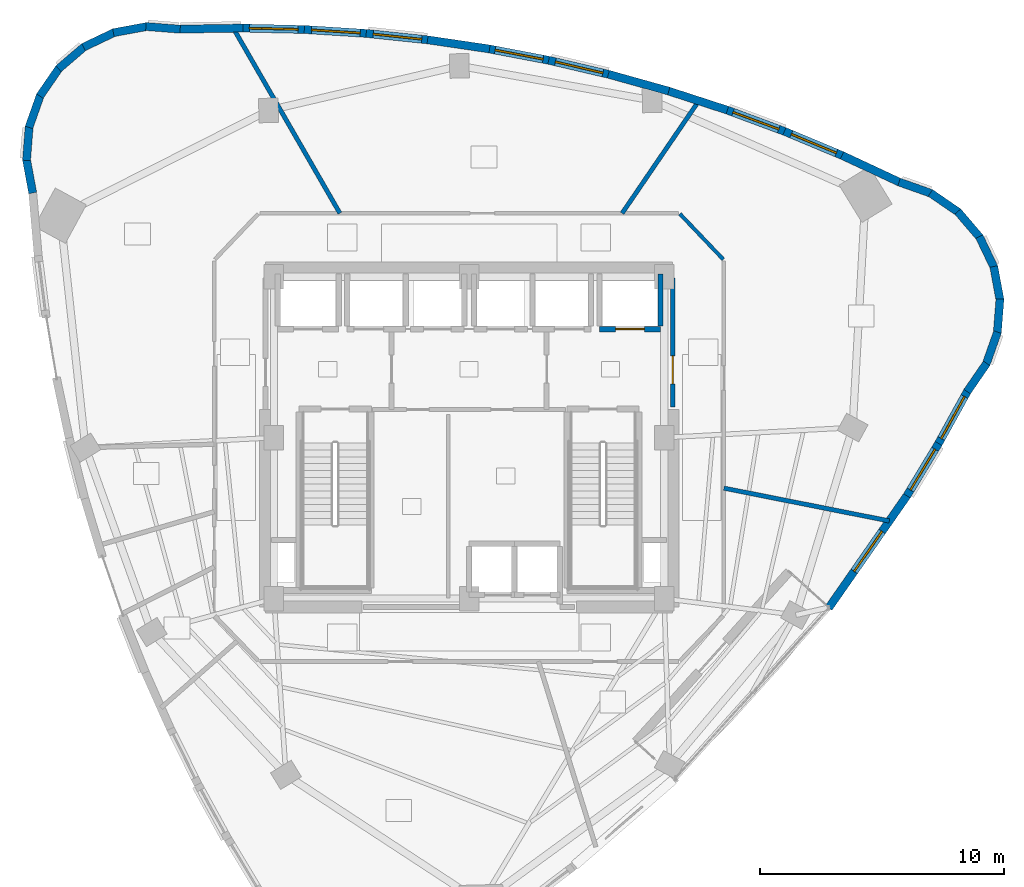
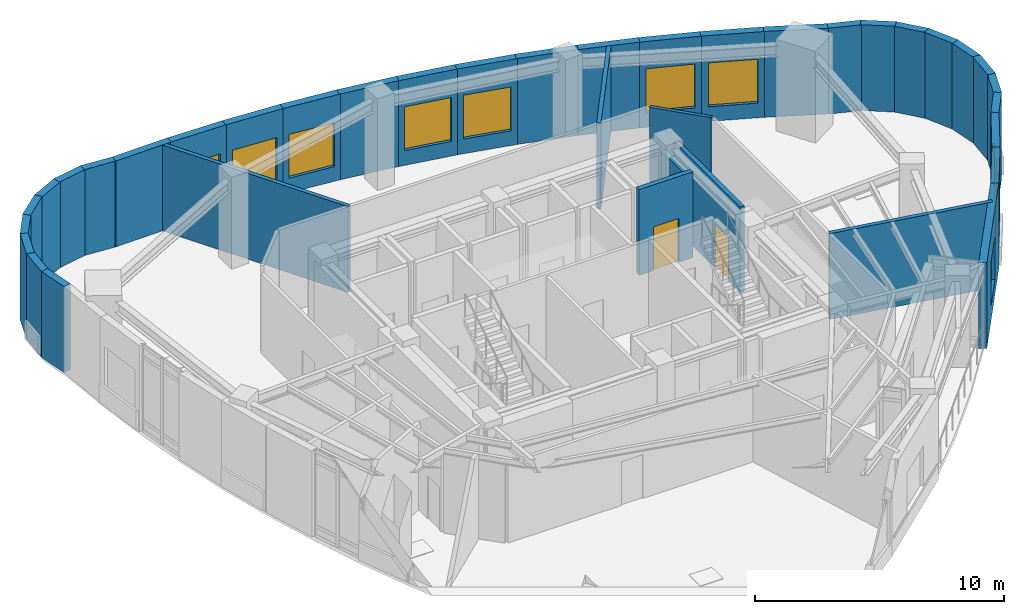
# One storey, part 14 of 18: 38 walls, 10 windows, 2 doors, 12 openings.
"""IFC4 building model written with IfcOpenShell, lengths in metres."""

from ifc_helpers import new_model, si_unit, direction, frame, frame_2d, origin, place, context, subcontext, project, spatial, rectangle, extrude, material, layer, layer_set, type_object, element, fill, save


model = new_model("IFC4")

# Units and contexts
model_context = context("Model", 3, precision=1e-05, world=origin(), true_north=direction((0.0, 1.0)))
body_context = subcontext(model_context, "Body", "Model", "MODEL_VIEW")
ifc_project = project(units=[si_unit("LENGTHUNIT", "METRE"), si_unit("AREAUNIT", "SQUARE_METRE"), si_unit("VOLUMEUNIT", "CUBIC_METRE"), si_unit("PLANEANGLEUNIT", "RADIAN"), si_unit("MASSUNIT", "GRAM", prefix="KILO")], contexts=[model_context])

# Site, building, storey
site_placement = place(None, origin())
site = spatial("IfcSite", under=ifc_project, at=site_placement, CompositionType="ELEMENT")
building_placement = place(site_placement, origin())
building = spatial("IfcBuilding", under=site, at=building_placement, Name="Ndelora Gate Hotel", CompositionType="ELEMENT")
storey_placement = place(building_placement, frame((0.0, 0.0, 173.75)))
storey = spatial("IfcBuildingStorey", under=building, at=storey_placement, Name="L43", CompositionType="ELEMENT", Elevation=173.75)

# Walls
ifc_material_1 = material(Name="Acoustic Double-Stud Gypsum Assembly", Category="gypsum")
ifc_layer_1 = layer(ifc_material_1, 0.179931640625)
ifc_layer_set_1 = layer_set([ifc_layer_1], Name="Acoustic Double-Stud Gypsum Assembly")
wall_type_1 = type_object("IfcWallType", Name="WL-ACOUST-180", PredefinedType="PARTITIONING", material=ifc_layer_set_1)
wall_1_placement = place(storey_placement, frame((10.449951171875, -2.07275390625, 0.0), z_axis=(0.0, 0.0, 1.0), x_axis=(0.980886326551, -0.194581639385, 0.0)))
element("IfcWall", 1, at=wall_1_placement, inside=storey, type_object=wall_type_1, Name="L43 Interior Wall IW-3", PredefinedType="PARTITIONING", context=body_context, shape_type="SweptSolid", body=[
    extrude(rectangle(XDim=6.915771484375, YDim=0.179931640625, at=frame_2d((3.4580078125, 0.0))), origin(), (0.0, 0.0, 1.0), 4.2099609375),
])
wall_2_placement = place(storey_placement, frame((6.277099609375, 9.199951171875, 0.0), z_axis=(0.0, 0.0, 1.0), x_axis=(0.563596172667, 0.826050454969, 0.0)))
element("IfcWall", 2, at=wall_2_placement, inside=storey, type_object=wall_type_1, Name="L43 Interior Wall IW-3", PredefinedType="PARTITIONING", context=body_context, shape_type="SweptSolid", body=[
    extrude(rectangle(XDim=5.57861328125, YDim=0.179931640625, at=frame_2d((2.789306640625, 0.0))), origin(), (0.0, 0.0, 1.0), 4.2099609375),
])
wall_3_placement = place(storey_placement, frame((-5.29736328125, 9.199951171875, 0.0), z_axis=(0.0, 0.0, 1.0), x_axis=(-0.498971426458, 0.866618437133, 0.0)))
element("IfcWall", 3, at=wall_3_placement, inside=storey, type_object=wall_type_1, Name="L43 Interior Wall IW-3", PredefinedType="PARTITIONING", context=body_context, shape_type="SweptSolid", body=[
    extrude(rectangle(XDim=8.75439453125, YDim=0.179931640625, at=frame_2d((4.377197265625, 0.0))), origin(), (0.0, 0.0, 1.0), 4.2099609375),
])
ifc_material_2 = material(Name="Clay Brick Masonry", Category="masonry")
ifc_layer_2 = layer(ifc_material_2, 0.330078125)
ifc_layer_set_2 = layer_set([ifc_layer_2], Name="Clay Brick Masonry")
wall_type_2 = type_object("IfcWallType", Name="WL-BRICK-330", PredefinedType="SOLIDWALL", material=ifc_layer_set_2)
wall_4_placement = place(storey_placement, frame((-13.248779296875, 16.856689453125, 0.0), z_axis=(0.0, 0.0, 1.0), x_axis=(0.996907811278, -0.07857999626, 0.0)))
element("IfcWall", 4, at=wall_4_placement, inside=storey, type_object=wall_type_2, Name="L43 Tower Brick Pier-and-Spandrel Wall TWR-1", PredefinedType="SOLIDWALL", context=body_context, shape_type="SweptSolid", body=[
    extrude(rectangle(XDim=1.407470703125, YDim=0.330078125, at=frame_2d((0.70361328125, 0.0))), origin(), (0.0, 0.0, 1.0), 4.2099609375),
])
for number, where, z_axis, x_axis, name in (
    (5, (-14.583251953125, 16.602783203125, 0.0), (0.0, 0.0, 1.0), (0.983245180137, 0.182288002174, 0.0), "L43 Tower Brick Pier-and-Spandrel Wall TWR-2"),
    (6, (-15.806396484375, 16.01220703125, 0.0), (0.0, 0.0, 1.0), (0.902597460438, 0.43048556818, 0.0), "L43 Tower Brick Pier-and-Spandrel Wall TWR-3"),
):
    element("IfcWall", number, at=place(storey_placement, frame(where, z_axis=z_axis, x_axis=x_axis)), inside=storey, type_object=wall_type_2, Name=name, PredefinedType="SOLIDWALL", context=body_context, shape_type="SweptSolid", body=[
        extrude(rectangle(XDim=1.40771484375, YDim=0.330078125, at=frame_2d((0.703857421875, 0.0))), origin(), (0.0, 0.0, 1.0), 4.2099609375),
    ])
for number, where, z_axis, x_axis, name in (
    (7, (-16.835205078125, 15.125, 0.0), (0.0, 0.0, 1.0), (0.760430782952, 0.64941898982, 0.0), "L43 Tower Brick Pier-and-Spandrel Wall TWR-4"),
    (8, (-17.59912109375, 14.001953125, 0.0), (0.0, 0.0, 1.0), (0.566374209812, 0.824148199331, 0.0), "L43 Tower Brick Pier-and-Spandrel Wall TWR-5"),
):
    element("IfcWall", number, at=place(storey_placement, frame(where, z_axis=z_axis, x_axis=x_axis)), inside=storey, type_object=wall_type_2, Name=name, PredefinedType="SOLIDWALL", context=body_context, shape_type="SweptSolid", body=[
        extrude(rectangle(XDim=1.407470703125, YDim=0.330078125, at=frame_2d((0.70361328125, 0.0))), origin(), (0.0, 0.0, 1.0), 4.2099609375),
    ])
wall_5_placement = place(storey_placement, frame((-18.04638671875, 12.71923828125, 0.0), z_axis=(0.0, 0.0, 1.0), x_axis=(0.333709077945, 0.942676111555, 0.0)))
element("IfcWall", 9, at=wall_5_placement, inside=storey, type_object=wall_type_2, Name="L43 Tower Brick Pier-and-Spandrel Wall TWR-6", PredefinedType="SOLIDWALL", context=body_context, shape_type="SweptSolid", body=[
    extrude(rectangle(XDim=1.40771484375, YDim=0.330078125, at=frame_2d((0.703857421875, 0.0))), origin(), (0.0, 0.0, 1.0), 4.2099609375),
])
wall_6_placement = place(storey_placement, frame((-18.146484375, 11.36474609375, 0.0), z_axis=(0.0, 0.0, 1.0), x_axis=(0.078407598082, 0.996921385347, 0.0)))
element("IfcWall", 10, at=wall_6_placement, inside=storey, type_object=wall_type_2, Name="L43 Tower Brick Pier-and-Spandrel Wall TWR-7", PredefinedType="SOLIDWALL", context=body_context, shape_type="SweptSolid", body=[
    extrude(rectangle(XDim=1.407470703125, YDim=0.330078125, at=frame_2d((0.70361328125, 0.0))), origin(), (0.0, 0.0, 1.0), 4.2099609375),
])
wall_7_placement = place(storey_placement, frame((-17.892578125, 10.0302734375, 0.0), z_axis=(0.0, 0.0, 1.0), x_axis=(-0.182288002174, 0.983245180137, 0.0)))
element("IfcWall", 11, at=wall_7_placement, inside=storey, type_object=wall_type_2, Name="L43 Tower Brick Pier-and-Spandrel Wall TWR-8", PredefinedType="SOLIDWALL", context=body_context, shape_type="SweptSolid", body=[
    extrude(rectangle(XDim=1.40771484375, YDim=0.330078125, at=frame_2d((0.703857421875, 0.0))), origin(), (0.0, 0.0, 1.0), 4.2099609375),
])

# Wall, opening, window
wall_8_placement = place(storey_placement, frame((17.981201171875, -2.34619140625, 0.0), z_axis=(0.0, 0.0, 1.0), x_axis=(-0.571969587154, -0.820274826733, 0.0)))
wall_8 = element("IfcWall", 12, at=wall_8_placement, inside=storey, type_object=wall_type_2, Name="L43 Tower Brick Pier-and-Spandrel Wall TWR-36", PredefinedType="SOLIDWALL", context=body_context, shape_type="SweptSolid", body=[
    extrude(rectangle(XDim=5.656494140625, YDim=0.330078125, at=frame_2d((2.828125, 0.0))), origin(), (0.0, 0.0, 1.0), 4.2099609375),
])
opening_1_placement = place(wall_8_placement, frame((1.828369140625, 0.0, 0.719970703125)))
opening_1 = element("IfcOpeningElement", 13, at=opening_1_placement, cuts=wall_8, Name="Opening W05", PredefinedType="OPENING", context=body_context, shape_type="SweptSolid", body=[
    extrude(rectangle(XDim=2.0, YDim=2.14990234375, at=frame_2d((1.0, 1.074951171875))), frame((0.0, 0.175048828125, 0.0), z_axis=(0.0, -1.0, 0.0), x_axis=(1.0, 0.0, 0.0)), (0.0, 0.0, 1.0), 0.35009765625),
])
ifc_material_3 = material(Name="Insulated Low-E Double Glazing in Bronze Aluminium Frame", Category="aluminium")
window_type = type_object("IfcWindowType", Name="WN-SKY-2000", PartitioningType="SINGLE_PANEL", PredefinedType="WINDOW", material=ifc_material_3)
window_1_placement = place(opening_1_placement, origin())
window_1 = element("IfcWindow", 14, at=window_1_placement, inside=storey, type_object=window_type, Name="L43 Deep-Set Brick-Pier Window W05", OverallHeight=2.14990234375, OverallWidth=2.0, PartitioningType="SINGLE_PANEL", PredefinedType="WINDOW", context=body_context, shape_type="SweptSolid", body=[
    extrude(rectangle(XDim=2.0, YDim=2.14990234375, at=frame_2d((1.0, 1.074951171875))), frame((0.0, 0.030029296875, 0.0), z_axis=(0.0, -1.0, 0.0), x_axis=(1.0, 0.0, 0.0)), (0.0, 0.0, 1.0), 0.06005859375),
])
fill(opening_1, window_1)

wall_9_placement = place(storey_placement, frame((19.252197265625, -0.241455078125, 0.0), z_axis=(0.0, 0.0, 1.0), x_axis=(-0.517483977519, -0.855692896436, 0.0)))
wall_9 = element("IfcWall", 15, at=wall_9_placement, inside=storey, type_object=wall_type_2, Name="L43 Tower Brick Pier-and-Spandrel Wall TWR-37", PredefinedType="SOLIDWALL", context=body_context, shape_type="SweptSolid", body=[
    extrude(rectangle(XDim=2.508544921875, YDim=0.330078125, at=frame_2d((1.25439453125, 0.0))), origin(), (0.0, 0.0, 1.0), 4.2099609375),
])
opening_2_placement = place(wall_9_placement, frame((0.279296875, 0.0, 0.719970703125)))
opening_2 = element("IfcOpeningElement", 16, at=opening_2_placement, cuts=wall_9, Name="Opening W05", PredefinedType="OPENING", context=body_context, shape_type="SweptSolid", body=[
    extrude(rectangle(XDim=1.949951171875, YDim=2.14990234375, at=frame_2d((0.97509765625, 1.074951171875))), frame((0.0, 0.175048828125, 0.0), z_axis=(0.0, -1.0, 0.0), x_axis=(1.0, 0.0, 0.0)), (0.0, 0.0, 1.0), 0.35009765625),
])
window_2_placement = place(opening_2_placement, origin())
window_2 = element("IfcWindow", 17, at=window_2_placement, inside=storey, type_object=window_type, Name="L43 Deep-Set Brick-Pier Window W05", OverallHeight=2.14990234375, OverallWidth=1.949951171875, PartitioningType="SINGLE_PANEL", PredefinedType="WINDOW", context=body_context, shape_type="SweptSolid", body=[
    extrude(rectangle(XDim=1.949951171875, YDim=2.14990234375, at=frame_2d((0.97509765625, 1.074951171875))), frame((0.0, 0.030029296875, 0.0), z_axis=(0.0, -1.0, 0.0), x_axis=(1.0, 0.0, 0.0)), (0.0, 0.0, 1.0), 0.06005859375),
])
fill(opening_2, window_2)

wall_10_placement = place(storey_placement, frame((20.45166015625, 1.927978515625, 0.0), z_axis=(0.0, 0.0, 1.0), x_axis=(-0.484166759881, -0.874975741736, 0.0)))
wall_10 = element("IfcWall", 18, at=wall_10_placement, inside=storey, type_object=wall_type_2, Name="L43 Tower Brick Pier-and-Spandrel Wall TWR-38", PredefinedType="SOLIDWALL", context=body_context, shape_type="SweptSolid", body=[
    extrude(rectangle(XDim=2.52880859375, YDim=0.330078125, at=frame_2d((1.264404296875, 0.0))), origin(), (0.0, 0.0, 1.0), 4.2099609375),
])
opening_3_placement = place(wall_10_placement, frame((0.279541015625, 0.0, 0.719970703125)))
opening_3 = element("IfcOpeningElement", 19, at=opening_3_placement, cuts=wall_10, Name="Opening W05", PredefinedType="OPENING", context=body_context, shape_type="SweptSolid", body=[
    extrude(rectangle(XDim=1.969970703125, YDim=2.14990234375, at=frame_2d((0.98486328125, 1.074951171875))), frame((0.0, 0.175048828125, 0.0), z_axis=(0.0, -1.0, 0.0), x_axis=(1.0, 0.0, 0.0)), (0.0, 0.0, 1.0), 0.35009765625),
])
window_3_placement = place(opening_3_placement, origin())
window_3 = element("IfcWindow", 20, at=window_3_placement, inside=storey, type_object=window_type, Name="L43 Deep-Set Brick-Pier Window W05", OverallHeight=2.14990234375, OverallWidth=1.969970703125, PartitioningType="SINGLE_PANEL", PredefinedType="WINDOW", context=body_context, shape_type="SweptSolid", body=[
    extrude(rectangle(XDim=1.969970703125, YDim=2.14990234375, at=frame_2d((0.98486328125, 1.074951171875))), frame((0.0, 0.030029296875, 0.0), z_axis=(0.0, -1.0, 0.0), x_axis=(1.0, 0.0, 0.0)), (0.0, 0.0, 1.0), 0.06005859375),
])
fill(opening_3, window_3)

# Walls
wall_11_placement = place(storey_placement, frame((21.22265625, 3.04541015625, 0.0), z_axis=(0.0, 0.0, 1.0), x_axis=(-0.566492015675, -0.824067227947, 0.0)))
element("IfcWall", 21, at=wall_11_placement, inside=storey, type_object=wall_type_2, Name="L43 Tower Brick Pier-and-Spandrel Wall TWR-39", PredefinedType="SOLIDWALL", context=body_context, shape_type="SweptSolid", body=[
    extrude(rectangle(XDim=1.407470703125, YDim=0.330078125, at=frame_2d((0.70361328125, 0.0))), origin(), (0.0, 0.0, 1.0), 4.2099609375),
])
wall_12_placement = place(storey_placement, frame((21.669921875, 4.328125, 0.0), z_axis=(0.0, 0.0, 1.0), x_axis=(-0.333709077945, -0.942676111555, 0.0)))
element("IfcWall", 22, at=wall_12_placement, inside=storey, type_object=wall_type_2, Name="L43 Tower Brick Pier-and-Spandrel Wall TWR-40", PredefinedType="SOLIDWALL", context=body_context, shape_type="SweptSolid", body=[
    extrude(rectangle(XDim=1.40771484375, YDim=0.330078125, at=frame_2d((0.703857421875, 0.0))), origin(), (0.0, 0.0, 1.0), 4.2099609375),
])
for number, where, z_axis, x_axis, name in (
    (23, (21.770263671875, 5.6826171875, 0.0), (0.0, 0.0, 1.0), (-0.07857999626, -0.996907811278, 0.0), "L43 Tower Brick Pier-and-Spandrel Wall TWR-41"),
    (24, (21.51611328125, 7.01708984375, 0.0), (0.0, 0.0, 1.0), (0.182319094132, -0.983239415359, 0.0), "L43 Tower Brick Pier-and-Spandrel Wall TWR-42"),
):
    element("IfcWall", number, at=place(storey_placement, frame(where, z_axis=z_axis, x_axis=x_axis)), inside=storey, type_object=wall_type_2, Name=name, PredefinedType="SOLIDWALL", context=body_context, shape_type="SweptSolid", body=[
        extrude(rectangle(XDim=1.407470703125, YDim=0.330078125, at=frame_2d((0.70361328125, 0.0))), origin(), (0.0, 0.0, 1.0), 4.2099609375),
    ])
wall_13_placement = place(storey_placement, frame((20.925537109375, 8.240478515625, 0.0), z_axis=(0.0, 0.0, 1.0), x_axis=(0.43048556818, -0.902597460438, 0.0)))
element("IfcWall", 25, at=wall_13_placement, inside=storey, type_object=wall_type_2, Name="L43 Tower Brick Pier-and-Spandrel Wall TWR-43", PredefinedType="SOLIDWALL", context=body_context, shape_type="SweptSolid", body=[
    extrude(rectangle(XDim=1.40771484375, YDim=0.330078125, at=frame_2d((0.703857421875, 0.0))), origin(), (0.0, 0.0, 1.0), 4.2099609375),
])
wall_14_placement = place(storey_placement, frame((20.03857421875, 9.26904296875, 0.0), z_axis=(0.0, 0.0, 1.0), x_axis=(0.64941898982, -0.760430782952, 0.0)))
element("IfcWall", 26, at=wall_14_placement, inside=storey, type_object=wall_type_2, Name="L43 Tower Brick Pier-and-Spandrel Wall TWR-44", PredefinedType="SOLIDWALL", context=body_context, shape_type="SweptSolid", body=[
    extrude(rectangle(XDim=1.407470703125, YDim=0.330078125, at=frame_2d((0.70361328125, 0.0))), origin(), (0.0, 0.0, 1.0), 4.2099609375),
])
for number, where, z_axis, x_axis, name in (
    (27, (18.915283203125, 10.033203125, 0.0), (0.0, 0.0, 1.0), (0.824122878834, -0.566411052666, 0.0), "L43 Tower Brick Pier-and-Spandrel Wall TWR-45"),
    (28, (17.6328125, 10.480224609375, 0.0), (0.0, 0.0, 1.0), (0.942676111555, -0.333709077945, 0.0), "L43 Tower Brick Pier-and-Spandrel Wall TWR-46"),
):
    element("IfcWall", number, at=place(storey_placement, frame(where, z_axis=z_axis, x_axis=x_axis)), inside=storey, type_object=wall_type_2, Name=name, PredefinedType="SOLIDWALL", context=body_context, shape_type="SweptSolid", body=[
        extrude(rectangle(XDim=1.40771484375, YDim=0.330078125, at=frame_2d((0.703857421875, 0.0))), origin(), (0.0, 0.0, 1.0), 4.2099609375),
    ])
wall_15_placement = place(storey_placement, frame((15.293701171875, 11.573486328125, 0.0), z_axis=(0.0, 0.0, 1.0), x_axis=(0.906353689665, -0.422519809275, 0.0)))
element("IfcWall", 29, at=wall_15_placement, inside=storey, type_object=wall_type_2, Name="L43 Tower Brick Pier-and-Spandrel Wall TWR-47", PredefinedType="SOLIDWALL", context=body_context, shape_type="SweptSolid", body=[
    extrude(rectangle(XDim=2.632080078125, YDim=0.330078125, at=frame_2d((1.31591796875, 0.0))), origin(), (0.0, 0.0, 1.0), 4.2099609375),
])

# Wall, opening, window
wall_16_placement = place(storey_placement, frame((12.931640625, 12.56005859375, 0.0), z_axis=(0.0, 0.0, 1.0), x_axis=(0.922597431626, -0.385764149653, 0.0)))
wall_16 = element("IfcWall", 30, at=wall_16_placement, inside=storey, type_object=wall_type_2, Name="L43 Tower Brick Pier-and-Spandrel Wall TWR-48", PredefinedType="SOLIDWALL", context=body_context, shape_type="SweptSolid", body=[
    extrude(rectangle(XDim=2.60986328125, YDim=0.330078125, at=frame_2d((1.304931640625, 0.0))), origin(), (0.0, 0.0, 1.0), 4.2099609375),
])
opening_4_placement = place(wall_16_placement, frame((0.304931640625, 0.0, 0.719970703125)))
opening_4 = element("IfcOpeningElement", 31, at=opening_4_placement, cuts=wall_16, Name="Opening W05", PredefinedType="OPENING", context=body_context, shape_type="SweptSolid", body=[
    extrude(rectangle(XDim=2.0, YDim=2.14990234375, at=frame_2d((1.0, 1.074951171875))), frame((0.0, 0.175048828125, 0.0), z_axis=(0.0, -1.0, 0.0), x_axis=(1.0, 0.0, 0.0)), (0.0, 0.0, 1.0), 0.35009765625),
])
window_4_placement = place(opening_4_placement, origin())
window_4 = element("IfcWindow", 32, at=window_4_placement, inside=storey, type_object=window_type, Name="L43 Deep-Set Brick-Pier Window W05", OverallHeight=2.14990234375, OverallWidth=2.0, PartitioningType="SINGLE_PANEL", PredefinedType="WINDOW", context=body_context, shape_type="SweptSolid", body=[
    extrude(rectangle(XDim=2.0, YDim=2.14990234375, at=frame_2d((1.0, 1.074951171875))), frame((0.0, 0.030029296875, 0.0), z_axis=(0.0, -1.0, 0.0), x_axis=(1.0, 0.0, 0.0)), (0.0, 0.0, 1.0), 0.06005859375),
])
fill(opening_4, window_4)

wall_17_placement = place(storey_placement, frame((10.547607421875, 13.443603515625, 0.0), z_axis=(0.0, 0.0, 1.0), x_axis=(0.937535008849, -0.347890941506, 0.0)))
wall_17 = element("IfcWall", 33, at=wall_17_placement, inside=storey, type_object=wall_type_2, Name="L43 Tower Brick Pier-and-Spandrel Wall TWR-49", PredefinedType="SOLIDWALL", context=body_context, shape_type="SweptSolid", body=[
    extrude(rectangle(XDim=2.59228515625, YDim=0.330078125, at=frame_2d((1.296142578125, 0.0))), origin(), (0.0, 0.0, 1.0), 4.2099609375),
])
opening_5_placement = place(wall_17_placement, frame((0.29638671875, 0.0, 0.719970703125)))
opening_5 = element("IfcOpeningElement", 34, at=opening_5_placement, cuts=wall_17, Name="Opening W05", PredefinedType="OPENING", context=body_context, shape_type="SweptSolid", body=[
    extrude(rectangle(XDim=2.0, YDim=2.14990234375, at=frame_2d((1.0, 1.074951171875))), frame((0.0, 0.175048828125, 0.0), z_axis=(0.0, -1.0, 0.0), x_axis=(1.0, 0.0, 0.0)), (0.0, 0.0, 1.0), 0.35009765625),
])
window_5_placement = place(opening_5_placement, origin())
window_5 = element("IfcWindow", 35, at=window_5_placement, inside=storey, type_object=window_type, Name="L43 Deep-Set Brick-Pier Window W05", OverallHeight=2.14990234375, OverallWidth=2.0, PartitioningType="SINGLE_PANEL", PredefinedType="WINDOW", context=body_context, shape_type="SweptSolid", body=[
    extrude(rectangle(XDim=2.0, YDim=2.14990234375, at=frame_2d((1.0, 1.074951171875))), frame((0.0, 0.030029296875, 0.0), z_axis=(0.0, -1.0, 0.0), x_axis=(1.0, 0.0, 0.0)), (0.0, 0.0, 1.0), 0.06005859375),
])
fill(opening_5, window_5)

# Walls
wall_18_placement = place(storey_placement, frame((8.141357421875, 14.2236328125, 0.0), z_axis=(0.0, 0.0, 1.0), x_axis=(0.951143213295, -0.308750040976, 0.0)))
element("IfcWall", 36, at=wall_18_placement, inside=storey, type_object=wall_type_2, Name="L43 Tower Brick Pier-and-Spandrel Wall TWR-50", PredefinedType="SOLIDWALL", context=body_context, shape_type="SweptSolid", body=[
    extrude(rectangle(XDim=2.579345703125, YDim=0.330078125, at=frame_2d((1.28955078125, 0.0))), origin(), (0.0, 0.0, 1.0), 4.2099609375),
])
wall_19_placement = place(storey_placement, frame((5.71337890625, 14.900634765625, 0.0), z_axis=(0.0, 0.0, 1.0), x_axis=(0.963148250091, -0.268971092028, 0.0)))
element("IfcWall", 37, at=wall_19_placement, inside=storey, type_object=wall_type_2, Name="L43 Tower Brick Pier-and-Spandrel Wall TWR-51", PredefinedType="SOLIDWALL", context=body_context, shape_type="SweptSolid", body=[
    extrude(rectangle(XDim=2.570556640625, YDim=0.330078125, at=frame_2d((1.28515625, 0.0))), origin(), (0.0, 0.0, 1.0), 4.2099609375),
])

# Wall, opening, window
wall_20_placement = place(storey_placement, frame((3.263671875, 15.474365234375, 0.0), z_axis=(0.0, 0.0, 1.0), x_axis=(0.973560466093, -0.228429461457, 0.0)))
wall_20 = element("IfcWall", 38, at=wall_20_placement, inside=storey, type_object=wall_type_2, Name="L43 Tower Brick Pier-and-Spandrel Wall TWR-52", PredefinedType="SOLIDWALL", context=body_context, shape_type="SweptSolid", body=[
    extrude(rectangle(XDim=2.566162109375, YDim=0.330078125, at=frame_2d((1.283203125, 0.0))), origin(), (0.0, 0.0, 1.0), 4.2099609375),
])
opening_6_placement = place(wall_20_placement, frame((0.283203125, 0.0, 0.719970703125)))
opening_6 = element("IfcOpeningElement", 39, at=opening_6_placement, cuts=wall_20, Name="Opening W05", PredefinedType="OPENING", context=body_context, shape_type="SweptSolid", body=[
    extrude(rectangle(XDim=2.0, YDim=2.14990234375, at=frame_2d((1.0, 1.074951171875))), frame((0.0, 0.175048828125, 0.0), z_axis=(0.0, -1.0, 0.0), x_axis=(1.0, 0.0, 0.0)), (0.0, 0.0, 1.0), 0.35009765625),
])
window_6_placement = place(opening_6_placement, origin())
window_6 = element("IfcWindow", 40, at=window_6_placement, inside=storey, type_object=window_type, Name="L43 Deep-Set Brick-Pier Window W05", OverallHeight=2.14990234375, OverallWidth=2.0, PartitioningType="SINGLE_PANEL", PredefinedType="WINDOW", context=body_context, shape_type="SweptSolid", body=[
    extrude(rectangle(XDim=2.0, YDim=2.14990234375, at=frame_2d((1.0, 1.074951171875))), frame((0.0, 0.030029296875, 0.0), z_axis=(0.0, -1.0, 0.0), x_axis=(1.0, 0.0, 0.0)), (0.0, 0.0, 1.0), 0.06005859375),
])
fill(opening_6, window_6)

wall_21_placement = place(storey_placement, frame((0.791748046875, 15.944580078125, 0.0), z_axis=(0.0, 0.0, 1.0), x_axis=(0.982297739985, -0.187326319616, 0.0)))
wall_21 = element("IfcWall", 41, at=wall_21_placement, inside=storey, type_object=wall_type_2, Name="L43 Tower Brick Pier-and-Spandrel Wall TWR-53", PredefinedType="SOLIDWALL", context=body_context, shape_type="SweptSolid", body=[
    extrude(rectangle(XDim=2.566162109375, YDim=0.330078125, at=frame_2d((1.283203125, 0.0))), origin(), (0.0, 0.0, 1.0), 4.2099609375),
])
opening_7_placement = place(wall_21_placement, frame((0.282958984375, 0.0, 0.719970703125)))
opening_7 = element("IfcOpeningElement", 42, at=opening_7_placement, cuts=wall_21, Name="Opening W05", PredefinedType="OPENING", context=body_context, shape_type="SweptSolid", body=[
    extrude(rectangle(XDim=2.0, YDim=2.14990234375, at=frame_2d((1.0, 1.074951171875))), frame((0.0, 0.175048828125, 0.0), z_axis=(0.0, -1.0, 0.0), x_axis=(1.0, 0.0, 0.0)), (0.0, 0.0, 1.0), 0.35009765625),
])
window_7_placement = place(opening_7_placement, origin())
window_7 = element("IfcWindow", 43, at=window_7_placement, inside=storey, type_object=window_type, Name="L43 Deep-Set Brick-Pier Window W05", OverallHeight=2.14990234375, OverallWidth=2.0, PartitioningType="SINGLE_PANEL", PredefinedType="WINDOW", context=body_context, shape_type="SweptSolid", body=[
    extrude(rectangle(XDim=2.0, YDim=2.14990234375, at=frame_2d((1.0, 1.074951171875))), frame((0.0, 0.030029296875, 0.0), z_axis=(0.0, -1.0, 0.0), x_axis=(1.0, 0.0, 0.0)), (0.0, 0.0, 1.0), 0.06005859375),
])
fill(opening_7, window_7)

# Wall
wall_22_placement = place(storey_placement, frame((-1.701904296875, 16.311767578125, 0.0), z_axis=(0.0, 0.0, 1.0), x_axis=(0.989273720048, -0.14607363493, 0.0)))
element("IfcWall", 44, at=wall_22_placement, inside=storey, type_object=wall_type_2, Name="L43 Tower Brick Pier-and-Spandrel Wall TWR-54", PredefinedType="SOLIDWALL", context=body_context, shape_type="SweptSolid", body=[
    extrude(rectangle(XDim=2.570556640625, YDim=0.330078125, at=frame_2d((1.28515625, 0.0))), origin(), (0.0, 0.0, 1.0), 4.2099609375),
])

# Wall, opening, window
wall_23_placement = place(storey_placement, frame((-4.217529296875, 16.57568359375, 0.0), z_axis=(0.0, 0.0, 1.0), x_axis=(0.994496633441, -0.104768535708, 0.0)))
wall_23 = element("IfcWall", 45, at=wall_23_placement, inside=storey, type_object=wall_type_2, Name="L43 Tower Brick Pier-and-Spandrel Wall TWR-55", PredefinedType="SOLIDWALL", context=body_context, shape_type="SweptSolid", body=[
    extrude(rectangle(XDim=2.57958984375, YDim=0.330078125, at=frame_2d((1.289794921875, 0.0))), origin(), (0.0, 0.0, 1.0), 4.2099609375),
])
opening_8_placement = place(wall_23_placement, frame((0.289794921875, 0.0, 0.719970703125)))
opening_8 = element("IfcOpeningElement", 46, at=opening_8_placement, cuts=wall_23, Name="Opening W05", PredefinedType="OPENING", context=body_context, shape_type="SweptSolid", body=[
    extrude(rectangle(XDim=2.0, YDim=2.14990234375, at=frame_2d((1.0, 1.074951171875))), frame((0.0, 0.175048828125, 0.0), z_axis=(0.0, -1.0, 0.0), x_axis=(1.0, 0.0, 0.0)), (0.0, 0.0, 1.0), 0.35009765625),
])
window_8_placement = place(opening_8_placement, origin())
window_8 = element("IfcWindow", 47, at=window_8_placement, inside=storey, type_object=window_type, Name="L43 Deep-Set Brick-Pier Window W05", OverallHeight=2.14990234375, OverallWidth=2.0, PartitioningType="SINGLE_PANEL", PredefinedType="WINDOW", context=body_context, shape_type="SweptSolid", body=[
    extrude(rectangle(XDim=2.0, YDim=2.14990234375, at=frame_2d((1.0, 1.074951171875))), frame((0.0, 0.030029296875, 0.0), z_axis=(0.0, -1.0, 0.0), x_axis=(1.0, 0.0, 0.0)), (0.0, 0.0, 1.0), 0.06005859375),
])
fill(opening_8, window_8)

wall_24_placement = place(storey_placement, frame((-6.7548828125, 16.736083984375, 0.0), z_axis=(0.0, 0.0, 1.0), x_axis=(0.99797748118, -0.06356844388, 0.0)))
wall_24 = element("IfcWall", 48, at=wall_24_placement, inside=storey, type_object=wall_type_2, Name="L43 Tower Brick Pier-and-Spandrel Wall TWR-56", PredefinedType="SOLIDWALL", context=body_context, shape_type="SweptSolid", body=[
    extrude(rectangle(XDim=2.59228515625, YDim=0.330078125, at=frame_2d((1.296142578125, 0.0))), origin(), (0.0, 0.0, 1.0), 4.2099609375),
])
opening_9_placement = place(wall_24_placement, frame((0.29638671875, 0.0, 0.719970703125)))
opening_9 = element("IfcOpeningElement", 49, at=opening_9_placement, cuts=wall_24, Name="Opening W05", PredefinedType="OPENING", context=body_context, shape_type="SweptSolid", body=[
    extrude(rectangle(XDim=2.0, YDim=2.14990234375, at=frame_2d((1.0, 1.074951171875))), frame((0.0, 0.175048828125, 0.0), z_axis=(0.0, -1.0, 0.0), x_axis=(1.0, 0.0, 0.0)), (0.0, 0.0, 1.0), 0.35009765625),
])
window_9_placement = place(opening_9_placement, origin())
window_9 = element("IfcWindow", 50, at=window_9_placement, inside=storey, type_object=window_type, Name="L43 Deep-Set Brick-Pier Window W05", OverallHeight=2.14990234375, OverallWidth=2.0, PartitioningType="SINGLE_PANEL", PredefinedType="WINDOW", context=body_context, shape_type="SweptSolid", body=[
    extrude(rectangle(XDim=2.0, YDim=2.14990234375, at=frame_2d((1.0, 1.074951171875))), frame((0.0, 0.030029296875, 0.0), z_axis=(0.0, -1.0, 0.0), x_axis=(1.0, 0.0, 0.0)), (0.0, 0.0, 1.0), 0.06005859375),
])
fill(opening_9, window_9)

wall_25_placement = place(storey_placement, frame((-9.314208984375, 16.793701171875, 0.0), z_axis=(0.0, 0.0, 1.0), x_axis=(0.999737324595, -0.022919027279, 0.0)))
wall_25 = element("IfcWall", 51, at=wall_25_placement, inside=storey, type_object=wall_type_2, Name="L43 Tower Brick Pier-and-Spandrel Wall TWR-57", PredefinedType="SOLIDWALL", context=body_context, shape_type="SweptSolid", body=[
    extrude(rectangle(XDim=2.60986328125, YDim=0.330078125, at=frame_2d((1.304931640625, 0.0))), origin(), (0.0, 0.0, 1.0), 4.2099609375),
])
opening_10_placement = place(wall_25_placement, frame((0.304931640625, 0.0, 0.719970703125)))
opening_10 = element("IfcOpeningElement", 52, at=opening_10_placement, cuts=wall_25, Name="Opening W05", PredefinedType="OPENING", context=body_context, shape_type="SweptSolid", body=[
    extrude(rectangle(XDim=2.0, YDim=2.14990234375, at=frame_2d((1.0, 1.074951171875))), frame((0.0, 0.175048828125, 0.0), z_axis=(0.0, -1.0, 0.0), x_axis=(1.0, 0.0, 0.0)), (0.0, 0.0, 1.0), 0.35009765625),
])
window_10_placement = place(opening_10_placement, origin())
window_10 = element("IfcWindow", 53, at=window_10_placement, inside=storey, type_object=window_type, Name="L43 Deep-Set Brick-Pier Window W05", OverallHeight=2.14990234375, OverallWidth=2.0, PartitioningType="SINGLE_PANEL", PredefinedType="WINDOW", context=body_context, shape_type="SweptSolid", body=[
    extrude(rectangle(XDim=2.0, YDim=2.14990234375, at=frame_2d((1.0, 1.074951171875))), frame((0.0, 0.030029296875, 0.0), z_axis=(0.0, -1.0, 0.0), x_axis=(1.0, 0.0, 0.0)), (0.0, 0.0, 1.0), 0.06005859375),
])
fill(opening_10, window_10)

# Wall
wall_26_placement = place(storey_placement, frame((-11.8955078125, 16.747802734375, 0.0), z_axis=(0.0, 0.0, 1.0), x_axis=(0.999849492065, 0.017349156075, 0.0)))
element("IfcWall", 54, at=wall_26_placement, inside=storey, type_object=wall_type_2, Name="L43 Tower Brick Pier-and-Spandrel Wall TWR-58", PredefinedType="SOLIDWALL", context=body_context, shape_type="SweptSolid", body=[
    extrude(rectangle(XDim=2.631591796875, YDim=0.330078125, at=frame_2d((1.31591796875, 0.0))), origin(), (0.0, 0.0, 1.0), 4.2099609375),
])

# Wall, opening, door
ifc_material_4 = material(Name="Concrete C40/50", Category="concrete")
ifc_layer_3 = layer(ifc_material_4, 0.199951171875)
ifc_layer_set_3 = layer_set([ifc_layer_3], Name="Concrete C40/50")
wall_type_3 = type_object("IfcWallType", Name="WL-FIRE-200", PredefinedType="PARTITIONING", material=ifc_layer_set_3)
wall_27_placement = place(storey_placement, frame((8.35009765625, 1.25, 0.0), z_axis=(0.0, 0.0, 1.0), x_axis=(0.0, 1.0, 0.0)))
wall_27 = element("IfcWall", 55, at=wall_27_placement, inside=storey, type_object=wall_type_3, Name="L43 Interior Wall IW-2", PredefinedType="PARTITIONING", context=body_context, shape_type="SweptSolid", body=[
    extrude(rectangle(XDim=5.300048828125, YDim=0.199951171875, at=frame_2d((2.64990234375, 0.0))), origin(), (0.0, 0.0, 1.0), 4.2099609375),
])
opening_11_placement = place(wall_27_placement, frame((0.949951171875, 0.0, 0.0)))
opening_11 = element("IfcOpeningElement", 56, at=opening_11_placement, cuts=wall_27, Name="Opening FD1", PredefinedType="OPENING", context=body_context, shape_type="SweptSolid", body=[
    extrude(rectangle(XDim=1.14990234375, YDim=2.14990234375, at=frame_2d((0.574951171875, 1.074951171875))), frame((0.0, 0.10986328125, 0.0), z_axis=(0.0, -1.0, 0.0), x_axis=(1.0, 0.0, 0.0)), (0.0, 0.0, 1.0), 0.219970703125),
])
ifc_material_5 = material(Name="Fire-Rated Timber-Veneer Steel Core", Category="steel")
door_type_1 = type_object("IfcDoorType", Name="DR-FD60", OperationType="SINGLE_SWING_LEFT", PredefinedType="DOOR", material=ifc_material_5)
door_1_placement = place(opening_11_placement, origin())
door_1 = element("IfcDoor", 57, at=door_1_placement, inside=storey, type_object=door_type_1, Name="L43 Firefighting Lobby East Corridor Door", OperationType="SINGLE_SWING_RIGHT", OverallHeight=2.14990234375, OverallWidth=1.14990234375, PredefinedType="DOOR", context=body_context, shape_type="SweptSolid", body=[
    extrude(rectangle(XDim=1.14990234375, YDim=2.14990234375, at=frame_2d((0.574951171875, 1.074951171875))), frame((0.0, 0.02490234375, 0.0), z_axis=(0.0, -1.0, 0.0), x_axis=(1.0, 0.0, 0.0)), (0.0, 0.0, 1.0), 0.050048828125),
])
fill(opening_11, door_1)

# Wall
ifc_material_6 = material(Name="Fire-Rated Gypsum Stud Partition", Category="gypsum")
ifc_layer_4 = layer(ifc_material_6, 0.14990234375)
ifc_layer_set_4 = layer_set([ifc_layer_4], Name="Fire-Rated Gypsum Stud Partition")
wall_type_4 = type_object("IfcWallType", Name="WL-PART-150", PredefinedType="PARTITIONING", material=ifc_layer_set_4)
wall_28_placement = place(storey_placement, frame((8.647705078125, 9.1708984375, 0.0), z_axis=(0.0, 0.0, 1.0), x_axis=(0.689960858356, -0.723846678473, 0.0)))
element("IfcWall", 58, at=wall_28_placement, inside=storey, type_object=wall_type_4, Name="L43 Interior Wall IW-5", PredefinedType="PARTITIONING", context=body_context, shape_type="SweptSolid", body=[
    extrude(rectangle(XDim=2.572021484375, YDim=0.14990234375, at=frame_2d((1.2861328125, 0.0))), origin(), (0.0, 0.0, 1.0), 4.2099609375),
])

# Wall, opening, door
ifc_layer_5 = layer(ifc_material_4, 0.219970703125)
ifc_layer_set_5 = layer_set([ifc_layer_5], Name="Concrete C40/50")
wall_type_5 = type_object("IfcWallType", Name="WL-SHAFT-220", PredefinedType="PARTITIONING", material=ifc_layer_set_5)
wall_29_placement = place(storey_placement, frame((5.35009765625, 4.449951171875, 0.0), z_axis=(0.0, 0.0, 1.0), x_axis=(1.0, 0.0, 0.0)))
wall_29 = element("IfcWall", 59, at=wall_29_placement, inside=storey, type_object=wall_type_5, Name="L43 Interior Wall IW-1", PredefinedType="PARTITIONING", context=body_context, shape_type="SweptSolid", body=[
    extrude(rectangle(XDim=2.5, YDim=0.219970703125, at=frame_2d((1.25, 0.0))), origin(), (0.0, 0.0, 1.0), 4.2099609375),
])
opening_12_placement = place(wall_29_placement, frame((0.659912109375, 0.0, 0.0)))
opening_12 = element("IfcOpeningElement", 60, at=opening_12_placement, cuts=wall_29, Name="Opening LD5", PredefinedType="OPENING", context=body_context, shape_type="SweptSolid", body=[
    extrude(rectangle(XDim=1.179931640625, YDim=2.14990234375, at=frame_2d((0.58984375, 1.074951171875))), frame((0.0, 0.1201171875, 0.0), z_axis=(0.0, -1.0, 0.0), x_axis=(1.0, 0.0, 0.0)), (0.0, 0.0, 1.0), 0.239990234375),
])
ifc_material_7 = material(Name="Firefighting Lift Stainless Sliding Landing Door", Category="metal")
door_type_2 = type_object("IfcDoorType", Name="DR-LD5", OperationType="DOUBLE_DOOR_SLIDING", PredefinedType="DOOR", material=ifc_material_7)
door_2_placement = place(opening_12_placement, origin())
door_2 = element("IfcDoor", 61, at=door_2_placement, inside=storey, type_object=door_type_2, Name="L43 Lift Landing Sliding Door FFL2", OperationType="DOUBLE_DOOR_SLIDING", OverallHeight=2.14990234375, OverallWidth=1.179931640625, PredefinedType="DOOR", context=body_context, shape_type="SweptSolid", body=[
    extrude(rectangle(XDim=1.179931640625, YDim=2.14990234375, at=frame_2d((0.58984375, 1.074951171875))), frame((0.0, 0.02490234375, 0.0), z_axis=(0.0, -1.0, 0.0), x_axis=(1.0, 0.0, 0.0)), (0.0, 0.0, 1.0), 0.050048828125),
])
fill(opening_12, door_2)

# Wall
wall_30_placement = place(storey_placement, frame((7.85009765625, 4.570068359375, 0.0), z_axis=(0.0, 0.0, 1.0), x_axis=(0.0, 1.0, 0.0)))
element("IfcWall", 62, at=wall_30_placement, inside=storey, type_object=wall_type_5, Name="L43 Interior Wall IW-1", PredefinedType="PARTITIONING", context=body_context, shape_type="SweptSolid", body=[
    extrude(rectangle(XDim=2.1298828125, YDim=0.219970703125, at=frame_2d((1.06494140625, 0.0))), origin(), (0.0, 0.0, 1.0), 3.840087890625),
])

save(model, "model.ifc")
